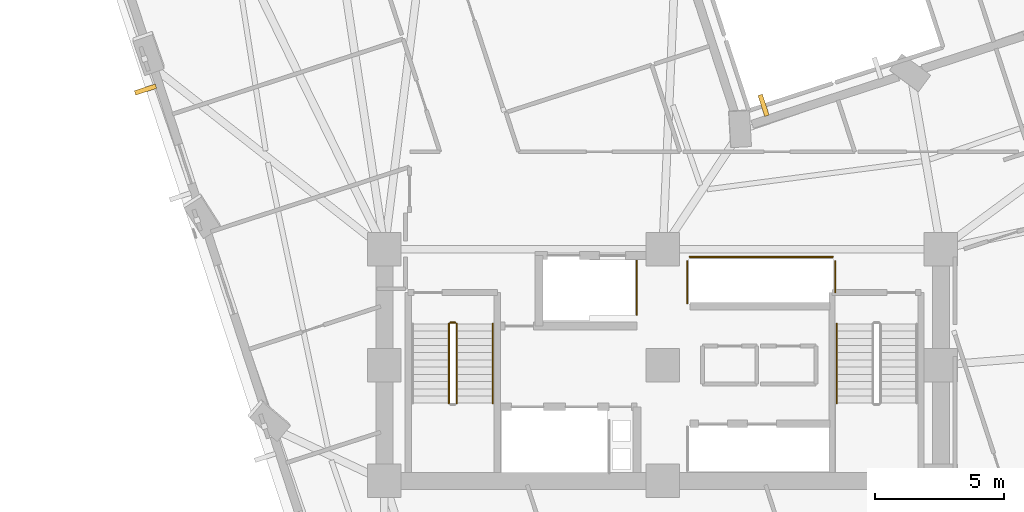
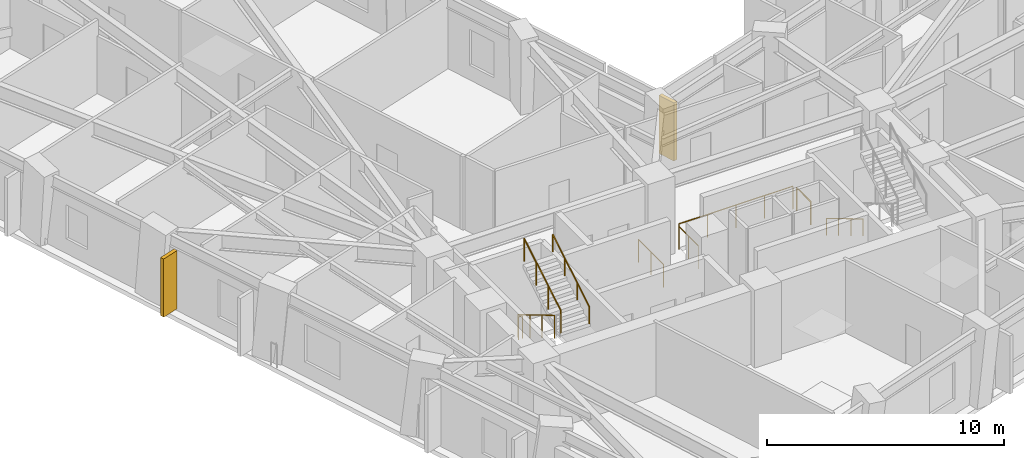
# One storey, part 13 of 16: 9 railings, 2 shading devices.
"""IFC4 building model written with IfcOpenShell, lengths in metres."""

import ifcopenshell
import ifcopenshell.guid

model = None  # the IFC model being written
_history = None  # IfcOwnerHistory: only IFC2X3 demands one
_inside = {}  # id of a spatial element -> (the spatial element, [elements in it])
_under = {}  # id of a project, library or spatial element -> (it, [spatial elements below it])
_declared = {}  # id of a project -> (the project, [libraries it declares])
_typed = {}  # id of a type object -> (the type object, [elements of that type])
_made_of = {}  # id of a material, layer set ... -> (it, [elements and type objects made of it])


def new_model(schema):
    """Start an empty IFC model of exactly this schema.

    Asked for "IFC4X3", IfcOpenShell would pick the latest addendum, in which some entities
    have other attributes; the version numbers below select the first issue.
    IFC2X3 requires an IfcOwnerHistory on every rooted entity: one is made here for all.
    """
    global model, _history
    if schema == "IFC4X3":
        model = ifcopenshell.file(schema_version=(4, 3, 0, 0))
    else:
        model = ifcopenshell.file(schema=schema)
    _inside.clear()
    _under.clear()
    _declared.clear()
    _typed.clear()
    _made_of.clear()
    _history = None
    if model.schema == "IFC2X3":
        org = make("IfcOrganization", Name="unknown")
        user = make(
            "IfcPersonAndOrganization",
            ThePerson=make("IfcPerson", FamilyName="unknown"),
            TheOrganization=org,
        )
        app = make(
            "IfcApplication",
            ApplicationDeveloper=org,
            Version="unknown",
            ApplicationFullName="unknown",
            ApplicationIdentifier="unknown",
        )
        _history = make(
            "IfcOwnerHistory",
            OwningUser=user,
            OwningApplication=app,
            ChangeAction="ADDED",
            CreationDate=0,
        )
    return model


def make(cls, **values):
    """One entity of the class cls with the attributes given. An attribute that is None is left unset."""
    return model.create_entity(
        cls, **{name: value for name, value in values.items() if value is not None}
    )


def rooted(cls, **values):
    """An entity with a GlobalId (a new one), such as an element, a storey or a relation."""
    return make(cls, GlobalId=ifcopenshell.guid.new(), OwnerHistory=_history, **values)


def si_unit(unit_type, name, prefix=None):
    """IfcSIUnit, for example si_unit("LENGTHUNIT", "METRE", prefix="MILLI")."""
    return make("IfcSIUnit", UnitType=unit_type, Prefix=prefix, Name=name)


def assignment(units):
    """IfcUnitAssignment: the units of a project."""
    return None if units is None else make("IfcUnitAssignment", Units=units)


def point(xyz):
    """IfcCartesianPoint."""
    return None if xyz is None else make("IfcCartesianPoint", Coordinates=xyz)


def direction(xyz):
    """IfcDirection."""
    return None if xyz is None else make("IfcDirection", DirectionRatios=xyz)


def frame(location, z_axis=None, x_axis=None):
    """IfcAxis2Placement3D, a coordinate frame: its origin and axes. An axis left out is left unset."""
    return make(
        "IfcAxis2Placement3D",
        Location=point(location),
        Axis=direction(z_axis),
        RefDirection=direction(x_axis),
    )


def frame_2d(location, x_axis=None):
    """IfcAxis2Placement2D, a coordinate frame in the plane: its origin and x axis."""
    return make(
        "IfcAxis2Placement2D", Location=point(location), RefDirection=direction(x_axis)
    )


def origin():
    """The frame at (0, 0, 0) with its axes left unset."""
    return frame((0.0, 0.0, 0.0))


def origin_2d():
    """The frame at (0, 0) in the plane with its x axis left unset."""
    return frame_2d((0.0, 0.0))


def place(relative_to, where):
    """IfcLocalPlacement: puts the frame where relative to a parent placement (None: the world)."""
    return make(
        "IfcLocalPlacement", PlacementRelTo=relative_to, RelativePlacement=where
    )


def context(
    kind, dimensions, precision=None, world=None, true_north=None, identifier=None
):
    """IfcGeometricRepresentationContext, for example the 3D "Model" context."""
    return make(
        "IfcGeometricRepresentationContext",
        ContextIdentifier=identifier,
        ContextType=kind,
        CoordinateSpaceDimension=dimensions,
        Precision=precision,
        WorldCoordinateSystem=world,
        TrueNorth=true_north,
    )


def subcontext(parent, identifier, kind, view, scale=None):
    """IfcGeometricRepresentationSubContext, for example "Body" below "Model"."""
    return make(
        "IfcGeometricRepresentationSubContext",
        ContextIdentifier=identifier,
        ContextType=kind,
        ParentContext=parent,
        TargetScale=scale,
        TargetView=view,
    )


def project(units=None, contexts=None):
    """IfcProject with its units and contexts."""
    return rooted(
        "IfcProject",
        Name="project",
        RepresentationContexts=contexts,
        UnitsInContext=assignment(units),
    )


def spatial(cls, under=None, at=None, **own):
    """A site, building, storey or space (cls), placed at a placement, below another one or the project."""
    s = rooted(cls, ObjectPlacement=at, **own)
    if under is not None:
        _under.setdefault(under.id(), (under, []))[1].append(s)
    return s


def profile(cls, at=None, kind="AREA", **sizes):
    """A parametric profile (cls). Its sizes go by their IFC names, for example OverallWidth=200.0."""
    return make(cls, ProfileType=kind, Position=at, **sizes)


def rectangle(**sizes):
    """IfcRectangleProfileDef."""
    return profile("IfcRectangleProfileDef", **sizes)


def circle(**sizes):
    """IfcCircleProfileDef."""
    return profile("IfcCircleProfileDef", **sizes)


def extrude(swept, where, along, depth):
    """IfcExtrudedAreaSolid: the profile swept, set in the frame where, extruded along a direction by depth."""
    return make(
        "IfcExtrudedAreaSolid",
        SweptArea=swept,
        Position=where,
        ExtrudedDirection=direction(along),
        Depth=depth,
    )


def shape(context_of_items, identifier, shape_type, items):
    """IfcShapeRepresentation: the items that make up one representation, for example the "Body"."""
    return make(
        "IfcShapeRepresentation",
        ContextOfItems=context_of_items,
        RepresentationIdentifier=identifier,
        RepresentationType=shape_type,
        Items=items,
    )


def material(Name=None, Category=None):
    """IfcMaterial."""
    return make("IfcMaterial", Name=Name, Category=Category)


def made_of(thing, what):
    """Note that an element or type object is made of a material, layer set ...; save() writes the relation."""
    if what is not None:
        _made_of.setdefault(what.id(), (what, []))[1].append(thing)
    return thing


def type_object(cls, material=None, **own):
    """A type object (cls), such as IfcWallType, which elements share."""
    return made_of(rooted(cls, **own), material)


def element(
    cls,
    number,
    at=None,
    inside=None,
    cuts=None,
    type_object=None,
    material=None,
    context=None,
    identifier="Body",
    shape_type=None,
    held_by="IfcProductDefinitionShape",
    body=None,
    shapes=None,
    **own,
):
    """One element of the class cls, such as IfcWall. Its Tag is "e" and its number.

    at: its placement. inside: the storey or other place that contains it. cuts: it is an
    opening in that element (IfcRelVoidsElement). A single representation is given by context,
    identifier, shape_type and body (its items); several are given by shapes. held_by: the class
    of the entity that holds the representations. save() writes the other relations.
    """
    e = rooted(cls, Tag="e%d" % number, ObjectPlacement=at, **own)
    if body is not None:
        shapes = [shape(context, identifier, shape_type, body)]
    if shapes is not None:
        e.Representation = make(held_by, Representations=shapes)
    if inside is not None:
        _inside.setdefault(inside.id(), (inside, []))[1].append(e)
    if cuts is not None:
        rooted(
            "IfcRelVoidsElement", RelatingBuildingElement=cuts, RelatedOpeningElement=e
        )
    if type_object is not None:
        _typed.setdefault(type_object.id(), (type_object, []))[1].append(e)
    return made_of(e, material)


def aggregate(whole, parts):
    """IfcRelAggregates: a whole, such as a stair, and the parts it consists of."""
    return rooted("IfcRelAggregates", RelatingObject=whole, RelatedObjects=parts)


def save(model, path):
    """Write the relations noted so far, then the file.

    IfcRelAggregates (storeys below a building ...), IfcRelContainedInSpatialStructure (elements
    in a storey), IfcRelDefinesByType, IfcRelAssociatesMaterial and IfcRelDeclares: one each for
    every whole, place, type object, material and project.
    """
    for whole, parts in _under.values():
        aggregate(whole, parts)
    for where, things in _inside.values():
        rooted(
            "IfcRelContainedInSpatialStructure",
            RelatedElements=things,
            RelatingStructure=where,
        )
    for kind, things in _typed.values():
        rooted("IfcRelDefinesByType", RelatedObjects=things, RelatingType=kind)
    for what, things in _made_of.values():
        rooted("IfcRelAssociatesMaterial", RelatedObjects=things, RelatingMaterial=what)
    for by, libraries in _declared.values():
        rooted("IfcRelDeclares", RelatingContext=by, RelatedDefinitions=libraries)
    model.write(path)


model = new_model("IFC4")

# Units and contexts
model_context = context("Model", 3, precision=1e-05, world=origin(), true_north=direction((0.0, 1.0)))
body_context = subcontext(model_context, "Body", "Model", "MODEL_VIEW")
ifc_project = project(units=[si_unit("LENGTHUNIT", "METRE"), si_unit("AREAUNIT", "SQUARE_METRE"), si_unit("VOLUMEUNIT", "CUBIC_METRE"), si_unit("PLANEANGLEUNIT", "RADIAN"), si_unit("MASSUNIT", "GRAM", prefix="KILO")], contexts=[model_context])

# Site, building, storey
site_placement = place(None, origin())
site = spatial("IfcSite", under=ifc_project, at=site_placement, CompositionType="ELEMENT")
building_placement = place(site_placement, origin())
building = spatial("IfcBuilding", under=site, at=building_placement, Name="Gaonmaruhae Medical Tower", CompositionType="ELEMENT")
storey_placement = place(building_placement, frame((0.0, 0.0, 100.39990234375)))
storey = spatial("IfcBuildingStorey", under=building, at=storey_placement, Name="L23", CompositionType="ELEMENT", Elevation=100.39990234375)

# Railings
ifc_material_1 = material(Name="Stainless steel 304 handrail", Category="steel")
railing_type_1 = type_object("IfcRailingType", Name="HR-092 Continuous Stainless Steel Stair Handrail", PredefinedType="HANDRAIL", material=ifc_material_1)
railing_1_placement = place(storey_placement, frame((18.199951171875, 10.820068359375, 2.166748046875)))
element("IfcRailing", 1, at=railing_1_placement, inside=storey, type_object=railing_type_1, Name="L23 ST-01 stair handrail 2", PredefinedType="HANDRAIL", context=body_context, shape_type="SweptSolid", body=[
    extrude(circle(Radius=0.02392578125, at=origin_2d()), frame((0.0, 0.0, 0.8759765625), z_axis=(0.0, 0.859290745958, 0.51148745235), x_axis=(-1.0, 0.0, 0.0)), (0.0, 0.0, 1.0), 3.584228515625),
    extrude(circle(Radius=0.02099609375, at=origin_2d()), origin(), (0.0, 0.0, 1.0), 0.851806640625),
    extrude(circle(Radius=0.02099609375, at=origin_2d()), frame((0.0, 1.026611328125, 0.611083984375)), (0.0, 0.0, 1.0), 0.851806640625),
    extrude(circle(Radius=0.02099609375, at=origin_2d()), frame((0.0, 2.05322265625, 1.22216796875)), (0.0, 0.0, 1.0), 0.851806640625),
    extrude(circle(Radius=0.02099609375, at=origin_2d()), frame((0.0, 3.079833984375, 1.833251953125)), (0.0, 0.0, 1.0), 0.851806640625),
])
railing_2_placement = place(storey_placement, frame((31.550048828125, 13.89990234375, 0.166748046875)))
element("IfcRailing", 2, at=railing_2_placement, inside=storey, type_object=railing_type_1, Name="L23 ST-02 stair handrail 1", PredefinedType="HANDRAIL", context=body_context, shape_type="SweptSolid", body=[
    extrude(circle(Radius=0.02392578125, at=origin_2d()), frame((0.0, 0.0, 0.8759765625), z_axis=(0.0, -0.859290745958, 0.51148745235), x_axis=(1.0, 0.0, 0.0)), (0.0, 0.0, 1.0), 3.584228515625),
    extrude(circle(Radius=0.02099609375, at=origin_2d()), origin(), (0.0, 0.0, 1.0), 0.851806640625),
    extrude(circle(Radius=0.02099609375, at=origin_2d()), frame((0.0, -1.026611328125, 0.611083984375)), (0.0, 0.0, 1.0), 0.851806640625),
    extrude(circle(Radius=0.02099609375, at=origin_2d()), frame((0.0, -2.05322265625, 1.22216796875)), (0.0, 0.0, 1.0), 0.851806640625),
    extrude(circle(Radius=0.02099609375, at=origin_2d()), frame((0.0, -3.079833984375, 1.833251953125)), (0.0, 0.0, 1.0), 0.851806640625),
])

# Shading devices
ifc_material_2 = material(Name="Pigmented coral precast concrete C45/55", Category="concrete")
shading_device_type = type_object("IfcShadingDeviceType", Name="SD-FIN1 Tower Vertical Coral Precast Shading Fin", PredefinedType="USERDEFINED", material=ifc_material_2)
for number, where, z_axis, x_axis, name in (
    (3, (28.713623046875, 22.382080078125, 0.08251953125), (0.0, 0.0, 1.0), (0.950786485994, 0.309846829984, 0.0), "L23 Vertical Coral Precast Shading Fin EN03"),
    (4, (4.723388671875, 22.994384765625, 0.08251953125), (0.0, 0.0, 1.0), (-0.309846829984, 0.950786485994, 0.0), "L23 Vertical Coral Precast Shading Fin W03B"),
):
    element("IfcShadingDevice", number, at=place(storey_placement, frame(where, z_axis=z_axis, x_axis=x_axis)), inside=storey, type_object=shading_device_type, Name=name, ObjectType="FIN", PredefinedType="USERDEFINED", context=body_context, shape_type="SweptSolid", body=[
        extrude(rectangle(XDim=0.179931640625, YDim=0.85009765625, at=origin_2d()), origin(), (0.0, 0.0, 1.0), 3.0),
    ])

# Railings
ifc_material_3 = material(Name="Stainless steel 304 balustrade", Category="steel")
railing_type_2 = type_object("IfcRailingType", Name="SG-112 Stair Well & Ramp Void Safety Balustrade", PredefinedType="BALUSTRADE", material=ifc_material_3)
railing_3_placement = place(storey_placement, frame((16.5, 13.89990234375, 0.166748046875)))
element("IfcRailing", 5, at=railing_3_placement, inside=storey, type_object=railing_type_2, Name="L23 ST-01 stair guard 1", PredefinedType="BALUSTRADE", context=body_context, shape_type="SweptSolid", body=[
    extrude(circle(Radius=0.02392578125, at=origin_2d()), frame((0.0, 0.0, 1.17578125), z_axis=(0.0, -0.859290745958, 0.51148745235), x_axis=(1.0, 0.0, 0.0)), (0.0, 0.0, 1.0), 3.584228515625),
    extrude(circle(Radius=0.02099609375, at=origin_2d()), origin(), (0.0, 0.0, 1.0), 1.15185546875),
    extrude(circle(Radius=0.02099609375, at=origin_2d()), frame((0.0, -1.026611328125, 0.611083984375)), (0.0, 0.0, 1.0), 1.15185546875),
    extrude(circle(Radius=0.02099609375, at=origin_2d()), frame((0.0, -2.05322265625, 1.22216796875)), (0.0, 0.0, 1.0), 1.15185546875),
    extrude(circle(Radius=0.02099609375, at=origin_2d()), frame((0.0, -3.079833984375, 1.833251953125)), (0.0, 0.0, 1.0), 1.15185546875),
])
railing_4_placement = place(storey_placement, frame((16.800048828125, 10.820068359375, 2.166748046875)))
element("IfcRailing", 6, at=railing_4_placement, inside=storey, type_object=railing_type_2, Name="L23 ST-01 stair guard 3", PredefinedType="BALUSTRADE", context=body_context, shape_type="SweptSolid", body=[
    extrude(circle(Radius=0.02392578125, at=origin_2d()), frame((0.0, 0.0, 1.17578125), z_axis=(0.0, 0.859290745958, 0.51148745235), x_axis=(-1.0, 0.0, 0.0)), (0.0, 0.0, 1.0), 3.584228515625),
    extrude(circle(Radius=0.02099609375, at=origin_2d()), origin(), (0.0, 0.0, 1.0), 1.15185546875),
    extrude(circle(Radius=0.02099609375, at=origin_2d()), frame((0.0, 1.026611328125, 0.611083984375)), (0.0, 0.0, 1.0), 1.15185546875),
    extrude(circle(Radius=0.02099609375, at=origin_2d()), frame((0.0, 2.05322265625, 1.22216796875)), (0.0, 0.0, 1.0), 1.15185546875),
    extrude(circle(Radius=0.02099609375, at=origin_2d()), frame((0.0, 3.079833984375, 1.833251953125)), (0.0, 0.0, 1.0), 1.15185546875),
])
railing_5_placement = place(storey_placement, frame((16.550048828125, 13.949951171875, 0.0)))
element("IfcRailing", 7, at=railing_5_placement, inside=storey, type_object=railing_type_2, Name="L23 ST-01 stair guard 4", PredefinedType="BALUSTRADE", context=body_context, shape_type="SweptSolid", body=[
    extrude(circle(Radius=0.02392578125, at=origin_2d()), frame((0.0, 0.0, 1.17578125), z_axis=(1.0, 0.0, 0.0), x_axis=(0.0, 1.0, 0.0)), (0.0, 0.0, 1.0), 0.199951171875),
    extrude(circle(Radius=0.02099609375, at=origin_2d()), origin(), (0.0, 0.0, 1.0), 1.15185546875),
    extrude(circle(Radius=0.02099609375, at=origin_2d()), frame((0.199951171875, 0.0, 0.0)), (0.0, 0.0, 1.0), 1.15185546875),
])
railing_6_placement = place(storey_placement, frame((23.794921875, 16.35498046875, 0.0)))
element("IfcRailing", 8, at=railing_6_placement, inside=storey, type_object=railing_type_2, Name="L23 Shaft Edge Safety Guard 17", PredefinedType="BALUSTRADE", context=body_context, shape_type="SweptSolid", body=[
    extrude(circle(Radius=0.02392578125, at=origin_2d()), frame((0.0, 0.0, 1.17578125), z_axis=(0.0, -1.0, 0.0), x_axis=(1.0, 0.0, 0.0)), (0.0, 0.0, 1.0), 2.10986328125),
    extrude(circle(Radius=0.02099609375, at=origin_2d()), origin(), (0.0, 0.0, 1.0), 1.15185546875),
    extrude(circle(Radius=0.02099609375, at=origin_2d()), frame((0.0, -1.054931640625, 0.0)), (0.0, 0.0, 1.0), 1.15185546875),
    extrude(circle(Radius=0.02099609375, at=origin_2d()), frame((0.0, -2.10986328125, 0.0)), (0.0, 0.0, 1.0), 1.15185546875),
])
railing_7_placement = place(storey_placement, frame((25.844970703125, 16.4951171875, 0.0)))
element("IfcRailing", 9, at=railing_7_placement, inside=storey, type_object=railing_type_2, Name="L23 Shaft Edge Safety Guard 18", PredefinedType="BALUSTRADE", context=body_context, shape_type="SweptSolid", body=[
    extrude(circle(Radius=0.02392578125, at=origin_2d()), frame((0.0, 0.0, 1.17578125), z_axis=(1.0, 0.0, 0.0), x_axis=(0.0, 1.0, 0.0)), (0.0, 0.0, 1.0), 5.56005859375),
    extrude(circle(Radius=0.02099609375, at=origin_2d()), origin(), (0.0, 0.0, 1.0), 1.15185546875),
    extrude(circle(Radius=0.02099609375, at=origin_2d()), frame((1.39013671875, 0.0, 0.0)), (0.0, 0.0, 1.0), 1.15185546875),
    extrude(circle(Radius=0.02099609375, at=origin_2d()), frame((2.780029296875, 0.0, 0.0)), (0.0, 0.0, 1.0), 1.15185546875),
    extrude(circle(Radius=0.02099609375, at=origin_2d()), frame((4.169921875, 0.0, 0.0)), (0.0, 0.0, 1.0), 1.15185546875),
    extrude(circle(Radius=0.02099609375, at=origin_2d()), frame((5.56005859375, 0.0, 0.0)), (0.0, 0.0, 1.0), 1.15185546875),
])
railing_8_placement = place(storey_placement, frame((31.4951171875, 16.330078125, 0.0)))
element("IfcRailing", 10, at=railing_8_placement, inside=storey, type_object=railing_type_2, Name="L23 Shaft Edge Safety Guard 19", PredefinedType="BALUSTRADE", context=body_context, shape_type="SweptSolid", body=[
    extrude(circle(Radius=0.02392578125, at=origin_2d()), frame((0.0, 0.0, 1.17578125), z_axis=(0.0, -1.0, 0.0), x_axis=(1.0, 0.0, 0.0)), (0.0, 0.0, 1.0), 1.2099609375),
    extrude(circle(Radius=0.02099609375, at=origin_2d()), origin(), (0.0, 0.0, 1.0), 1.15185546875),
    extrude(circle(Radius=0.02099609375, at=origin_2d()), frame((0.0, -1.2099609375, 0.0)), (0.0, 0.0, 1.0), 1.15185546875),
])
railing_9_placement = place(storey_placement, frame((25.7548828125, 14.695068359375, 0.0)))
element("IfcRailing", 11, at=railing_9_placement, inside=storey, type_object=railing_type_2, Name="L23 Shaft Edge Safety Guard 20", PredefinedType="BALUSTRADE", context=body_context, shape_type="SweptSolid", body=[
    extrude(circle(Radius=0.02392578125, at=origin_2d()), frame((0.0, 0.0, 1.17578125), z_axis=(0.0, 1.0, 0.0), x_axis=(-1.0, 0.0, 0.0)), (0.0, 0.0, 1.0), 1.635009765625),
    extrude(circle(Radius=0.02099609375, at=origin_2d()), origin(), (0.0, 0.0, 1.0), 1.15185546875),
    extrude(circle(Radius=0.02099609375, at=origin_2d()), frame((0.0, 0.8173828125, 0.0)), (0.0, 0.0, 1.0), 1.15185546875),
    extrude(circle(Radius=0.02099609375, at=origin_2d()), frame((0.0, 1.635009765625, 0.0)), (0.0, 0.0, 1.0), 1.15185546875),
])

save(model, "model.ifc")
